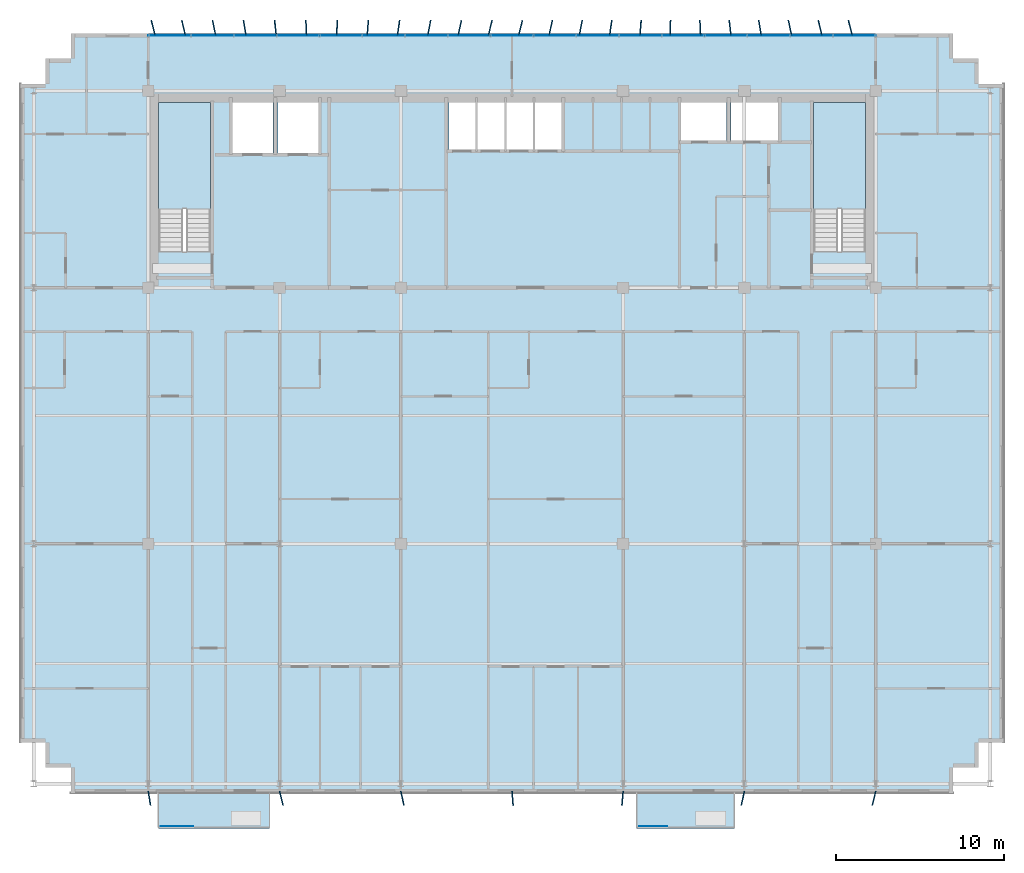
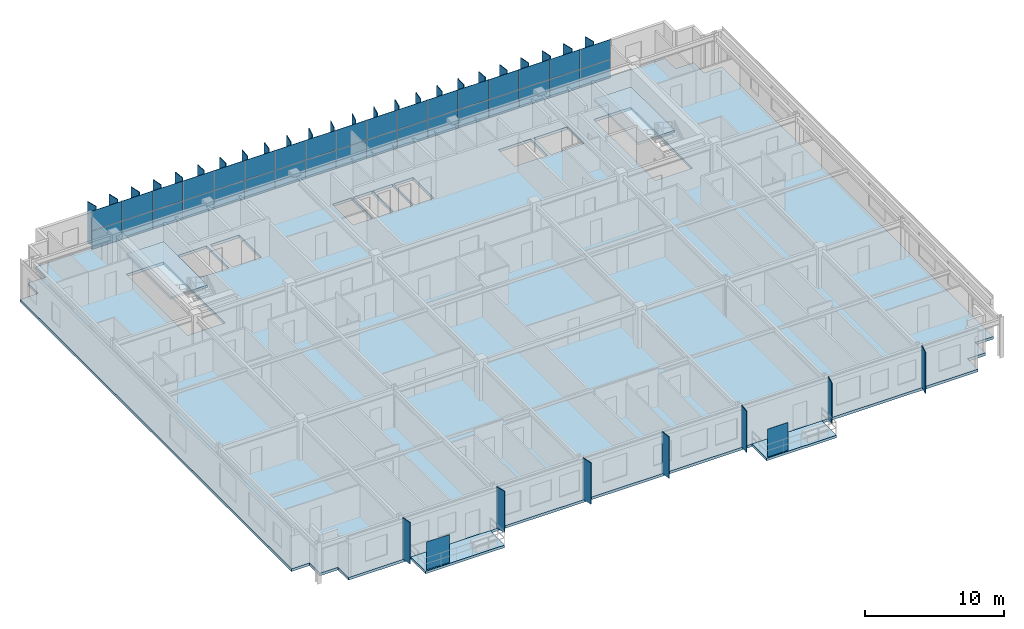
# One storey, part 15 of 23: 67 plates, 5 slabs, 3 elements without a shape of their own.
"""IFC4 building model written with IfcOpenShell, lengths in metres."""

import ifcopenshell
import ifcopenshell.guid

model = None  # the IFC model being written
_history = None  # IfcOwnerHistory: only IFC2X3 demands one
_inside = {}  # id of a spatial element -> (the spatial element, [elements in it])
_under = {}  # id of a project, library or spatial element -> (it, [spatial elements below it])
_declared = {}  # id of a project -> (the project, [libraries it declares])
_typed = {}  # id of a type object -> (the type object, [elements of that type])
_made_of = {}  # id of a material, layer set ... -> (it, [elements and type objects made of it])


def new_model(schema):
    """Start an empty IFC model of exactly this schema.

    Asked for "IFC4X3", IfcOpenShell would pick the latest addendum, in which some entities
    have other attributes; the version numbers below select the first issue.
    IFC2X3 requires an IfcOwnerHistory on every rooted entity: one is made here for all.
    """
    global model, _history
    if schema == "IFC4X3":
        model = ifcopenshell.file(schema_version=(4, 3, 0, 0))
    else:
        model = ifcopenshell.file(schema=schema)
    _inside.clear()
    _under.clear()
    _declared.clear()
    _typed.clear()
    _made_of.clear()
    _history = None
    if model.schema == "IFC2X3":
        org = make("IfcOrganization", Name="unknown")
        user = make(
            "IfcPersonAndOrganization",
            ThePerson=make("IfcPerson", FamilyName="unknown"),
            TheOrganization=org,
        )
        app = make(
            "IfcApplication",
            ApplicationDeveloper=org,
            Version="unknown",
            ApplicationFullName="unknown",
            ApplicationIdentifier="unknown",
        )
        _history = make(
            "IfcOwnerHistory",
            OwningUser=user,
            OwningApplication=app,
            ChangeAction="ADDED",
            CreationDate=0,
        )
    return model


def make(cls, **values):
    """One entity of the class cls with the attributes given. An attribute that is None is left unset."""
    return model.create_entity(
        cls, **{name: value for name, value in values.items() if value is not None}
    )


def rooted(cls, **values):
    """An entity with a GlobalId (a new one), such as an element, a storey or a relation."""
    return make(cls, GlobalId=ifcopenshell.guid.new(), OwnerHistory=_history, **values)


def si_unit(unit_type, name, prefix=None):
    """IfcSIUnit, for example si_unit("LENGTHUNIT", "METRE", prefix="MILLI")."""
    return make("IfcSIUnit", UnitType=unit_type, Prefix=prefix, Name=name)


def assignment(units):
    """IfcUnitAssignment: the units of a project."""
    return None if units is None else make("IfcUnitAssignment", Units=units)


def point(xyz):
    """IfcCartesianPoint."""
    return None if xyz is None else make("IfcCartesianPoint", Coordinates=xyz)


def direction(xyz):
    """IfcDirection."""
    return None if xyz is None else make("IfcDirection", DirectionRatios=xyz)


def frame(location, z_axis=None, x_axis=None):
    """IfcAxis2Placement3D, a coordinate frame: its origin and axes. An axis left out is left unset."""
    return make(
        "IfcAxis2Placement3D",
        Location=point(location),
        Axis=direction(z_axis),
        RefDirection=direction(x_axis),
    )


def frame_2d(location, x_axis=None):
    """IfcAxis2Placement2D, a coordinate frame in the plane: its origin and x axis."""
    return make(
        "IfcAxis2Placement2D", Location=point(location), RefDirection=direction(x_axis)
    )


def origin():
    """The frame at (0, 0, 0) with its axes left unset."""
    return frame((0.0, 0.0, 0.0))


def origin_2d():
    """The frame at (0, 0) in the plane with its x axis left unset."""
    return frame_2d((0.0, 0.0))


def place(relative_to, where):
    """IfcLocalPlacement: puts the frame where relative to a parent placement (None: the world)."""
    return make(
        "IfcLocalPlacement", PlacementRelTo=relative_to, RelativePlacement=where
    )


def context(
    kind, dimensions, precision=None, world=None, true_north=None, identifier=None
):
    """IfcGeometricRepresentationContext, for example the 3D "Model" context."""
    return make(
        "IfcGeometricRepresentationContext",
        ContextIdentifier=identifier,
        ContextType=kind,
        CoordinateSpaceDimension=dimensions,
        Precision=precision,
        WorldCoordinateSystem=world,
        TrueNorth=true_north,
    )


def subcontext(parent, identifier, kind, view, scale=None):
    """IfcGeometricRepresentationSubContext, for example "Body" below "Model"."""
    return make(
        "IfcGeometricRepresentationSubContext",
        ContextIdentifier=identifier,
        ContextType=kind,
        ParentContext=parent,
        TargetScale=scale,
        TargetView=view,
    )


def project(units=None, contexts=None):
    """IfcProject with its units and contexts."""
    return rooted(
        "IfcProject",
        Name="project",
        RepresentationContexts=contexts,
        UnitsInContext=assignment(units),
    )


def spatial(cls, under=None, at=None, **own):
    """A site, building, storey or space (cls), placed at a placement, below another one or the project."""
    s = rooted(cls, ObjectPlacement=at, **own)
    if under is not None:
        _under.setdefault(under.id(), (under, []))[1].append(s)
    return s


def polyline(points):
    """IfcPolyline through the points."""
    return make("IfcPolyline", Points=[point(p) for p in points])


def profile(cls, at=None, kind="AREA", **sizes):
    """A parametric profile (cls). Its sizes go by their IFC names, for example OverallWidth=200.0."""
    return make(cls, ProfileType=kind, Position=at, **sizes)


def rectangle(**sizes):
    """IfcRectangleProfileDef."""
    return profile("IfcRectangleProfileDef", **sizes)


def outline(outer, holes=None, kind="AREA"):
    """IfcArbitraryClosedProfileDef: a profile drawn as a closed curve; with holes, ...WithVoids."""
    if holes is None:
        return make("IfcArbitraryClosedProfileDef", ProfileType=kind, OuterCurve=outer)
    return make(
        "IfcArbitraryProfileDefWithVoids",
        ProfileType=kind,
        OuterCurve=outer,
        InnerCurves=holes,
    )


def extrude(swept, where, along, depth):
    """IfcExtrudedAreaSolid: the profile swept, set in the frame where, extruded along a direction by depth."""
    return make(
        "IfcExtrudedAreaSolid",
        SweptArea=swept,
        Position=where,
        ExtrudedDirection=direction(along),
        Depth=depth,
    )


def shape(context_of_items, identifier, shape_type, items):
    """IfcShapeRepresentation: the items that make up one representation, for example the "Body"."""
    return make(
        "IfcShapeRepresentation",
        ContextOfItems=context_of_items,
        RepresentationIdentifier=identifier,
        RepresentationType=shape_type,
        Items=items,
    )


def source(mapping_origin, context_of_items, identifier, shape_type, items):
    """IfcRepresentationMap: a shape defined once, which mapped items show again and again."""
    return make(
        "IfcRepresentationMap",
        MappingOrigin=mapping_origin,
        MappedRepresentation=shape(context_of_items, identifier, shape_type, items),
    )


def transform(
    local_origin,
    x_axis=None,
    y_axis=None,
    z_axis=None,
    scale=None,
    scale2=None,
    scale3=None,
    uniform=True,
):
    """IfcCartesianTransformationOperator3D, or its non-uniform kind. x_axis, y_axis, z_axis: its Axis1, 2, 3."""
    if uniform:
        return make(
            "IfcCartesianTransformationOperator3D",
            Axis1=direction(x_axis),
            Axis2=direction(y_axis),
            LocalOrigin=point(local_origin),
            Scale=scale,
            Axis3=direction(z_axis),
        )
    return make(
        "IfcCartesianTransformationOperator3DnonUniform",
        Axis1=direction(x_axis),
        Axis2=direction(y_axis),
        LocalOrigin=point(local_origin),
        Scale=scale,
        Axis3=direction(z_axis),
        Scale2=scale2,
        Scale3=scale3,
    )


def mapped(mapping_source, mapping_target):
    """IfcMappedItem: shows the shape of a source again, moved by a transform."""
    return make(
        "IfcMappedItem", MappingSource=mapping_source, MappingTarget=mapping_target
    )


def material(Name=None, Category=None):
    """IfcMaterial."""
    return make("IfcMaterial", Name=Name, Category=Category)


def layer(
    of_material, thickness, ventilated=None, Name=None, Category=None, Priority=None
):
    """IfcMaterialLayer: one layer of a wall or slab, of a material (None: an air gap)."""
    return make(
        "IfcMaterialLayer",
        Material=of_material,
        LayerThickness=thickness,
        IsVentilated=ventilated,
        Name=Name,
        Category=Category,
        Priority=Priority,
    )


def layer_set(layers, Name=None):
    """IfcMaterialLayerSet."""
    return make("IfcMaterialLayerSet", MaterialLayers=layers, LayerSetName=Name)


def made_of(thing, what):
    """Note that an element or type object is made of a material, layer set ...; save() writes the relation."""
    if what is not None:
        _made_of.setdefault(what.id(), (what, []))[1].append(thing)
    return thing


def type_object(cls, material=None, **own):
    """A type object (cls), such as IfcWallType, which elements share."""
    return made_of(rooted(cls, **own), material)


def element(
    cls,
    number,
    at=None,
    inside=None,
    cuts=None,
    type_object=None,
    material=None,
    context=None,
    identifier="Body",
    shape_type=None,
    held_by="IfcProductDefinitionShape",
    body=None,
    shapes=None,
    **own,
):
    """One element of the class cls, such as IfcWall. Its Tag is "e" and its number.

    at: its placement. inside: the storey or other place that contains it. cuts: it is an
    opening in that element (IfcRelVoidsElement). A single representation is given by context,
    identifier, shape_type and body (its items); several are given by shapes. held_by: the class
    of the entity that holds the representations. save() writes the other relations.
    """
    e = rooted(cls, Tag="e%d" % number, ObjectPlacement=at, **own)
    if body is not None:
        shapes = [shape(context, identifier, shape_type, body)]
    if shapes is not None:
        e.Representation = make(held_by, Representations=shapes)
    if inside is not None:
        _inside.setdefault(inside.id(), (inside, []))[1].append(e)
    if cuts is not None:
        rooted(
            "IfcRelVoidsElement", RelatingBuildingElement=cuts, RelatedOpeningElement=e
        )
    if type_object is not None:
        _typed.setdefault(type_object.id(), (type_object, []))[1].append(e)
    return made_of(e, material)


def aggregate(whole, parts):
    """IfcRelAggregates: a whole, such as a stair, and the parts it consists of."""
    return rooted("IfcRelAggregates", RelatingObject=whole, RelatedObjects=parts)


def save(model, path):
    """Write the relations noted so far, then the file.

    IfcRelAggregates (storeys below a building ...), IfcRelContainedInSpatialStructure (elements
    in a storey), IfcRelDefinesByType, IfcRelAssociatesMaterial and IfcRelDeclares: one each for
    every whole, place, type object, material and project.
    """
    for whole, parts in _under.values():
        aggregate(whole, parts)
    for where, things in _inside.values():
        rooted(
            "IfcRelContainedInSpatialStructure",
            RelatedElements=things,
            RelatingStructure=where,
        )
    for kind, things in _typed.values():
        rooted("IfcRelDefinesByType", RelatedObjects=things, RelatingType=kind)
    for what, things in _made_of.values():
        rooted("IfcRelAssociatesMaterial", RelatedObjects=things, RelatingMaterial=what)
    for by, libraries in _declared.values():
        rooted("IfcRelDeclares", RelatingContext=by, RelatedDefinitions=libraries)
    model.write(path)


model = new_model("IFC4")

# Units and contexts
model_context = context("Model", 3, precision=1e-05, world=origin(), true_north=direction((0.0, 1.0)))
body_context = subcontext(model_context, "Body", "Model", "MODEL_VIEW")
ifc_project = project(units=[si_unit("LENGTHUNIT", "METRE"), si_unit("AREAUNIT", "SQUARE_METRE"), si_unit("VOLUMEUNIT", "CUBIC_METRE"), si_unit("PLANEANGLEUNIT", "RADIAN"), si_unit("MASSUNIT", "GRAM", prefix="KILO")], contexts=[model_context])

# Site, building, storey
site_placement = place(None, origin())
site = spatial("IfcSite", under=ifc_project, at=site_placement, CompositionType="ELEMENT")
building_placement = place(site_placement, origin())
building = spatial("IfcBuilding", under=site, at=building_placement, Name="Trelvane Seafront Commons", CompositionType="ELEMENT")
storey_placement = place(building_placement, frame((0.0, 0.0, 212.10009765625)))
storey = spatial("IfcBuildingStorey", under=building, at=storey_placement, Name="L55", CompositionType="ELEMENT", Elevation=212.10009765625)

# Slabs
ifc_material_1 = material(Name="Concrete C40/50", Category="concrete")
ifc_layer_1 = layer(ifc_material_1, 0.219970703125, Name="ARCH-BALC-220")
ifc_layer_set_1 = layer_set([ifc_layer_1], Name="Concrete C40/50")
slab_type_1 = type_object("IfcSlabType", Name="ARCH-BALC-220", PredefinedType="FLOOR", material=ifc_layer_set_1)
slab_1_placement = place(storey_placement, frame((0.0, 0.0, -0.22021484375)))
element("IfcSlab", 1, at=slab_1_placement, inside=storey, type_object=slab_type_1, Name="L55 Cantilevered Tree Balcony Loggia 1", PredefinedType="FLOOR", context=body_context, shape_type="SweptSolid", body=[
    extrude(outline(polyline([(16.199951171875, 1.300048828125), (22.800048828125, 1.300048828125), (22.800048828125, 3.39990234375), (16.199951171875, 3.39990234375), (16.199951171875, 1.300048828125)])), origin(), (0.0, 0.0, 1.0), 0.22021484375),
])
slab_2_placement = place(storey_placement, frame((0.0, 0.0, -0.22021484375)))
element("IfcSlab", 2, at=slab_2_placement, inside=storey, type_object=slab_type_1, Name="L55 Cantilevered Tree Balcony Loggia 2", PredefinedType="FLOOR", context=body_context, shape_type="SweptSolid", body=[
    extrude(outline(polyline([(44.60009765625, 1.300048828125), (50.39990234375, 1.300048828125), (50.39990234375, 3.39990234375), (44.60009765625, 3.39990234375), (44.60009765625, 1.300048828125)])), origin(), (0.0, 0.0, 1.0), 0.22021484375),
])

# Stair, slab
stair_type_1 = type_object("IfcStairType", Name="ARCH-STR-ST-1-R20-180", PredefinedType="HALF_TURN_STAIR", material=ifc_material_1)
stair_1_placement = place(storey_placement, origin())
stair_1 = element("IfcStair", 3, at=stair_1_placement, inside=storey, type_object=stair_type_1, Name="L55 West Protected Firefighting Exit Stair ST-1", PredefinedType="HALF_TURN_STAIR")
ifc_layer_2 = layer(ifc_material_1, 0.199951171875, Name="ARCH-LND-200")
ifc_layer_set_2 = layer_set([ifc_layer_2], Name="Concrete C40/50")
slab_type_2 = type_object("IfcSlabType", Name="ARCH-LND-200", PredefinedType="LANDING", material=ifc_layer_set_2)
slab_3_placement = place(storey_placement, frame((0.0, 0.0, 1.599853515625)))
slab_3 = element("IfcSlab", 4, at=slab_3_placement, type_object=slab_type_2, Name="ST-1 landing 1", PredefinedType="LANDING", context=body_context, shape_type="SweptSolid", body=[
    extrude(outline(polyline([(19.300048828125, 38.070068359375), (19.300048828125, 44.39990234375), (16.199951171875, 44.39990234375), (16.199951171875, 38.070068359375), (19.300048828125, 38.070068359375)])), origin(), (0.0, 0.0, 1.0), 0.199951171875),
])
aggregate(stair_1, [slab_3])

stair_type_2 = type_object("IfcStairType", Name="ARCH-STR-ST-2-R20-180", PredefinedType="HALF_TURN_STAIR", material=ifc_material_1)
stair_2_placement = place(storey_placement, origin())
stair_2 = element("IfcStair", 5, at=stair_2_placement, inside=storey, type_object=stair_type_2, Name="L55 East Protected Firefighting Exit Stair ST-2", PredefinedType="HALF_TURN_STAIR")
slab_4_placement = place(storey_placement, frame((0.0, 0.0, 1.599853515625)))
slab_4 = element("IfcSlab", 6, at=slab_4_placement, type_object=slab_type_2, Name="ST-2 landing 1", PredefinedType="LANDING", context=body_context, shape_type="SweptSolid", body=[
    extrude(outline(polyline([(58.199951171875, 38.070068359375), (58.199951171875, 44.39990234375), (55.10009765625, 44.39990234375), (55.10009765625, 38.070068359375), (58.199951171875, 38.070068359375)])), origin(), (0.0, 0.0, 1.0), 0.199951171875),
])
aggregate(stair_2, [slab_4])

# Slab
ifc_material_2 = material(Name="Concrete C50/60", Category="concrete")
ifc_layer_3 = layer(ifc_material_2, 0.239990234375, Name="STR-SLB-Z4-240")
ifc_layer_set_3 = layer_set([ifc_layer_3], Name="Concrete C50/60")
slab_type_3 = type_object("IfcSlabType", Name="STR-SLB-Z4-240", PredefinedType="FLOOR", material=ifc_layer_set_3)
slab_5_placement = place(storey_placement, frame((0.0, 0.0, -0.239990234375)))
element("IfcSlab", 7, at=slab_5_placement, inside=storey, type_object=slab_type_3, Name="L55 Structural Floor Slab", PredefinedType="FLOOR", context=body_context, shape_type="SweptSolid", body=[
    extrude(outline(polyline([(11.0, 3.39990234375), (63.39990234375, 3.39990234375), (63.39990234375, 4.89990234375), (64.89990234375, 4.89990234375), (64.89990234375, 6.39990234375), (66.39990234375, 6.39990234375), (66.39990234375, 45.5), (64.89990234375, 45.5), (64.89990234375, 47.0), (63.39990234375, 47.0), (63.39990234375, 48.5), (11.0, 48.5), (11.0, 47.0), (9.5, 47.0), (9.5, 45.5), (8.0, 45.5), (8.0, 6.39990234375), (9.5, 6.39990234375), (9.5, 4.89990234375), (11.0, 4.89990234375), (11.0, 3.39990234375)]), holes=[polyline([(19.300048828125, 35.550048828125), (16.199951171875, 35.550048828125), (16.199951171875, 44.39990234375), (19.300048828125, 44.39990234375), (19.300048828125, 35.550048828125)]), polyline([(58.199951171875, 35.550048828125), (55.10009765625, 35.550048828125), (55.10009765625, 44.39990234375), (58.199951171875, 44.39990234375), (58.199951171875, 35.550048828125)]), polyline([(23.0, 41.39990234375), (20.60009765625, 41.39990234375), (20.60009765625, 44.60009765625), (23.0, 44.60009765625), (23.0, 41.39990234375)]), polyline([(23.300048828125, 41.39990234375), (23.300048828125, 44.60009765625), (25.699951171875, 44.60009765625), (25.699951171875, 41.39990234375), (23.300048828125, 41.39990234375)]), polyline([(33.449951171875, 41.60009765625), (33.449951171875, 44.60009765625), (35.070068359375, 44.60009765625), (35.070068359375, 41.60009765625), (33.449951171875, 41.60009765625)]), polyline([(36.77001953125, 41.60009765625), (35.14990234375, 41.60009765625), (35.14990234375, 44.60009765625), (36.77001953125, 44.60009765625), (36.77001953125, 41.60009765625)]), polyline([(38.469970703125, 41.60009765625), (36.85009765625, 41.60009765625), (36.85009765625, 44.60009765625), (38.469970703125, 44.60009765625), (38.469970703125, 41.60009765625)]), polyline([(40.169921875, 41.60009765625), (38.550048828125, 41.60009765625), (38.550048828125, 44.60009765625), (40.169921875, 44.60009765625), (40.169921875, 41.60009765625)]), polyline([(47.25, 42.14990234375), (47.25, 44.550048828125), (49.949951171875, 44.550048828125), (49.949951171875, 42.14990234375), (47.25, 42.14990234375)]), polyline([(50.199951171875, 42.14990234375), (50.199951171875, 44.550048828125), (53.0, 44.550048828125), (53.0, 42.14990234375), (50.199951171875, 42.14990234375)])]), origin(), (0.0, 0.0, 1.0), 0.239990234375),
])

# Plates
ifc_material_3 = material(Name="Perforated anodised aluminium screen", Category="aluminium")
ifc_layer_4 = layer(ifc_material_3, 0.01611328125, Name="ARCH-PLATE-SCREEN")
ifc_layer_set_4 = layer_set([ifc_layer_4], Name="Perforated anodised aluminium screen")
plate_type_1 = type_object("IfcPlateType", Name="ARCH-PLATE-SCREEN", PredefinedType="USERDEFINED", material=ifc_layer_set_4)
shared_shape_1 = source(origin(), body_context, "Body", "SweptSolid", [
    extrude(rectangle(XDim=1.9140625, YDim=0.01611328125, at=origin_2d()), origin(), (0.0, 0.0, 1.0), 2.449951171875),
])
plate_1_placement = place(storey_placement, frame((17.306884765625, 1.419921875, 0.0), z_axis=(0.0, 0.0, 1.0), x_axis=(1.0, 0.0, 0.0)))
element("IfcPlate", 8, at=plate_1_placement, inside=storey, type_object=plate_type_1, Name="SCR-L55-00195", ObjectType="SCREEN", PredefinedType="USERDEFINED", context=body_context, shape_type="MappedRepresentation", body=[
    mapped(shared_shape_1, transform((0.0, 0.0, 0.0), x_axis=(1.0, 0.0, 0.0), y_axis=(0.0, 1.0, 0.0), z_axis=(0.0, 0.0, 1.0), scale=1.0)),
])
shared_shape_2 = source(origin(), body_context, "Body", "SweptSolid", [
    extrude(rectangle(XDim=1.681884765625, YDim=0.01611328125, at=origin_2d()), origin(), (0.0, 0.0, 1.0), 2.449951171875),
])
plate_2_placement = place(storey_placement, frame((45.591064453125, 1.419921875, 0.0), z_axis=(0.0, 0.0, 1.0), x_axis=(1.0, 0.0, 0.0)))
element("IfcPlate", 9, at=plate_2_placement, inside=storey, type_object=plate_type_1, Name="SCR-L55-00196", ObjectType="SCREEN", PredefinedType="USERDEFINED", context=body_context, shape_type="MappedRepresentation", body=[
    mapped(shared_shape_2, transform((0.0, 0.0, 0.0), x_axis=(1.0, 0.0, 0.0), y_axis=(0.0, 1.0, 0.0), z_axis=(0.0, 0.0, 1.0), scale=1.0)),
])
ifc_material_4 = material(Name="Anodised pale-silver aluminium", Category="aluminium")
ifc_layer_5 = layer(ifc_material_4, 0.06005859375, Name="ARCH-PLATE-FIN900")
ifc_layer_set_5 = layer_set([ifc_layer_5], Name="Anodised pale-silver aluminium")
plate_type_2 = type_object("IfcPlateType", Name="ARCH-PLATE-FIN900", PredefinedType="USERDEFINED", material=ifc_layer_set_5)
shared_shape_3 = source(origin(), body_context, "Body", "SweptSolid", [
    extrude(rectangle(XDim=0.89990234375, YDim=0.06005859375, at=origin_2d()), origin(), (0.0, 0.0, 1.0), 3.639892578125),
])
for number, where, z_axis, x_axis, name in (
    (10, (15.89111328125, 48.836669921875, -0.02001953125), (0.0, 0.0, 1.0), (-0.241881251735, 0.970305859025, 0.0), "FIN-L55-01511"),
    (11, (17.6953125, 48.837646484375, -0.02001953125), (0.0, 0.0, 1.0), (-0.232876793588, 0.972506246257, 0.0), "FIN-L55-01512"),
    (12, (19.507080078125, 48.84033203125, -0.02001953125), (0.0, 0.0, 1.0), (-0.206660151025, 0.978412787109, 0.0), "FIN-L55-01513"),
    (13, (21.32568359375, 48.84375, -0.02001953125), (0.0, 0.0, 1.0), (-0.165228349365, 0.986255338422, 0.0), "FIN-L55-01514"),
    (14, (23.14990234375, 48.84716796875, -0.02001953125), (0.0, 0.0, 1.0), (-0.111224371071, 0.993795320617, 0.0), "FIN-L55-01515"),
    (15, (24.97802734375, 48.849609375, -0.02001953125), (0.0, 0.0, 1.0), (-0.048668471453, 0.998814987816, 0.0), "FIN-L55-01516"),
    (16, (26.80810546875, 48.849853515625, -0.02001953125), (0.0, 0.0, 1.0), (0.01777698731, 0.999841976875, 0.0), "FIN-L55-01517"),
    (17, (28.63720703125, 48.848388671875, -0.02001953125), (0.0, 0.0, 1.0), (0.082778638782, 0.996567959028, 0.0), "FIN-L55-01518"),
    (18, (30.463623046875, 48.845458984375, -0.02001953125), (0.0, 0.0, 1.0), (0.141328014392, 0.98996282372, 0.0), "FIN-L55-01519"),
    (19, (32.28515625, 48.841796875, -0.02001953125), (0.0, 0.0, 1.0), (0.18910229835, 0.981957392537, 0.0), "FIN-L55-01520"),
    (20, (34.10009765625, 48.838623046875, -0.02001953125), (0.0, 0.0, 1.0), (0.222668238779, 0.974894279109, 0.0), "FIN-L55-01521"),
    (21, (35.907958984375, 48.8369140625, -0.02001953125), (0.0, 0.0, 1.0), (0.23989426697, 0.970799021773, 0.0), "FIN-L55-01522"),
    (22, (37.707763671875, 48.8369140625, -0.02001953125), (0.0, 0.0, 1.0), (0.239553685065, 0.970883119625, 0.0), "FIN-L55-01523"),
    (23, (39.499755859375, 48.8388671875, -0.02001953125), (0.0, 0.0, 1.0), (0.221774851889, 0.975097900249, 0.0), "FIN-L55-01524"),
    (24, (41.284423828125, 48.842041015625, -0.02001953125), (0.0, 0.0, 1.0), (0.187775614852, 0.982211951906, 0.0), "FIN-L55-01525"),
    (25, (43.062744140625, 48.845703125, -0.02001953125), (0.0, 0.0, 1.0), (0.139555054584, 0.99021431354, 0.0), "FIN-L55-01526"),
    (26, (44.836181640625, 48.8486328125, -0.02001953125), (0.0, 0.0, 1.0), (0.080663417462, 0.996741397296, 0.0), "FIN-L55-01527"),
    (27, (46.60693359375, 48.849853515625, -0.02001953125), (0.0, 0.0, 1.0), (0.015555492219, 0.999879006011, 0.0), "FIN-L55-01528"),
    (28, (48.377197265625, 48.849365234375, -0.02001953125), (0.0, 0.0, 1.0), (-0.050779450263, 0.998709891526, 0.0), "FIN-L55-01529"),
    (29, (50.149169921875, 48.84716796875, -0.02001953125), (0.0, 0.0, 1.0), (-0.113114773708, 0.993581928161, 0.0), "FIN-L55-01530"),
    (30, (51.9248046875, 48.84375, -0.02001953125), (0.0, 0.0, 1.0), (-0.166777351148, 0.985994581701, 0.0), "FIN-L55-01531"),
    (31, (53.70654296875, 48.840087890625, -0.02001953125), (0.0, 0.0, 1.0), (-0.207768284656, 0.978178071668, 0.0), "FIN-L55-01532"),
    (32, (55.4951171875, 48.837646484375, -0.02001953125), (0.0, 0.0, 1.0), (-0.233452152273, 0.972368290618, 0.0), "FIN-L55-01533"),
    (33, (57.291259765625, 48.836669921875, -0.02001953125), (0.0, 0.0, 1.0), (-0.241881251735, 0.970305859025, 0.0), "FIN-L55-01534"),
):
    element("IfcPlate", number, at=place(storey_placement, frame(where, z_axis=z_axis, x_axis=x_axis)), inside=storey, type_object=plate_type_2, Name=name, ObjectType="FIN", PredefinedType="USERDEFINED", context=body_context, shape_type="MappedRepresentation", body=[
        mapped(shared_shape_3, transform((0.0, 0.0, 0.0), x_axis=(1.0, 0.0, 0.0), y_axis=(0.0, 1.0, 0.0), z_axis=(0.0, 0.0, 1.0), scale=1.0)),
    ])
shared_shape_4 = source(origin(), body_context, "Body", "SweptSolid", [
    extrude(rectangle(XDim=0.85009765625, YDim=0.06005859375, at=origin_2d()), origin(), (0.0, 0.0, 1.0), 3.639892578125),
])
for number, where, z_axis, x_axis, name in (
    (34, (15.6669921875, 3.080322265625, -0.02001953125), (0.0, 0.0, 1.0), (0.157527284463, -0.987514635157, 0.0), "FIN-S-L55-01535"),
    (35, (30.688720703125, 3.084228515625, -0.02001953125), (0.0, 0.0, 1.0), (0.208814705382, -0.977955223319, 0.0), "FIN-S-L55-01537"),
    (36, (37.234375, 3.076416015625, -0.02001953125), (0.0, 0.0, 1.0), (0.080708648069, -0.99673773588, 0.0), "FIN-S-L55-01538"),
    (37, (43.76318359375, 3.07666015625, -0.02001953125), (0.0, 0.0, 1.0), (-0.086588916465, -0.99624412648, 0.0), "FIN-S-L55-01539"),
    (38, (50.909912109375, 3.084716796875, -0.02001953125), (0.0, 0.0, 1.0), (-0.211882595413, -0.977295127257, 0.0), "FIN-S-L55-01540"),
    (39, (58.698974609375, 3.087158203125, -0.02001953125), (0.0, 0.0, 1.0), (-0.237521443683, -0.971382295387, 0.0), "FIN-S-L55-01541"),
):
    element("IfcPlate", number, at=place(storey_placement, frame(where, z_axis=z_axis, x_axis=x_axis)), inside=storey, type_object=plate_type_2, Name=name, ObjectType="FIN", PredefinedType="USERDEFINED", context=body_context, shape_type="MappedRepresentation", body=[
        mapped(shared_shape_4, transform((0.0, 0.0, 0.0), x_axis=(1.0, 0.0, 0.0), y_axis=(0.0, 1.0, 0.0), z_axis=(0.0, 0.0, 1.0), scale=1.0)),
    ])
shared_shape_5 = source(origin(), body_context, "Body", "SweptSolid", [
    extrude(rectangle(XDim=0.849853515625, YDim=0.06005859375, at=origin_2d()), origin(), (0.0, 0.0, 1.0), 3.639892578125),
])
plate_3_placement = place(storey_placement, frame((23.50146484375, 3.08740234375, -0.02001953125), z_axis=(0.0, 0.0, 1.0), x_axis=(0.23860294988, -0.971117208327, 0.0)))
element("IfcPlate", 40, at=plate_3_placement, inside=storey, type_object=plate_type_2, Name="FIN-S-L55-01536", ObjectType="FIN", PredefinedType="USERDEFINED", context=body_context, shape_type="MappedRepresentation", body=[
    mapped(shared_shape_5, transform((0.0, 0.0, 0.0), x_axis=(1.0, 0.0, 0.0), y_axis=(0.0, 1.0, 0.0), z_axis=(0.0, 0.0, 1.0), scale=1.0)),
])

# Curtain wall, plates
curtain_wall_type = type_object("IfcCurtainWallType", Name="ARCH-CW5-UPTOWER", PredefinedType="NOTDEFINED", material=ifc_material_4)
curtain_wall_placement = place(storey_placement, origin())
curtain_wall = element("IfcCurtainWall", 41, at=curtain_wall_placement, inside=storey, type_object=curtain_wall_type, Name="CW-L55-0098", PredefinedType="NOTDEFINED")
ifc_material_5 = material(Name="Low-E coastal double glazing", Category="glass")
ifc_layer_6 = layer(ifc_material_5, 0.033935546875, Name="ARCH-CW-GLAZ-34")
ifc_layer_set_6 = layer_set([ifc_layer_6], Name="Low-E coastal double glazing")
plate_type_3 = type_object("IfcPlateType", Name="ARCH-CW-GLAZ-34", PredefinedType="CURTAIN_PANEL", material=ifc_layer_set_6)
shared_shape_6 = source(origin(), body_context, "Body", "SweptSolid", [
    extrude(rectangle(XDim=2.51708984375, YDim=0.033935546875, at=origin_2d()), origin(), (0.0, 0.0, 1.0), 1.594970703125),
])
plate_4_placement = place(storey_placement, frame((16.87060546875, 48.3701171875, 0.0), z_axis=(0.0, 0.0, 1.0), x_axis=(1.0, 0.0, 0.0)))
plate_4 = element("IfcPlate", 42, at=plate_4_placement, type_object=plate_type_3, Name="CW-L55-0098-P00-1", PredefinedType="CURTAIN_PANEL", context=body_context, shape_type="MappedRepresentation", body=[
    mapped(shared_shape_6, transform((0.0, 0.0, 0.0), x_axis=(1.0, 0.0, 0.0), y_axis=(0.0, 1.0, 0.0), z_axis=(0.0, 0.0, 1.0), scale=1.0)),
])
plate_5_placement = place(storey_placement, frame((19.411865234375, 48.3701171875, 0.0), z_axis=(0.0, 0.0, 1.0), x_axis=(1.0, 0.0, 0.0)))
plate_5 = element("IfcPlate", 43, at=plate_5_placement, type_object=plate_type_3, Name="CW-L55-0098-P01-1", PredefinedType="CURTAIN_PANEL", context=body_context, shape_type="MappedRepresentation", body=[
    mapped(shared_shape_6, transform((0.0, 0.0, 0.0), x_axis=(1.0, 0.0, 0.0), y_axis=(0.0, 1.0, 0.0), z_axis=(0.0, 0.0, 1.0), scale=1.0)),
])
plate_6_placement = place(storey_placement, frame((21.952880859375, 48.3701171875, 0.0), z_axis=(0.0, 0.0, 1.0), x_axis=(1.0, 0.0, 0.0)))
plate_6 = element("IfcPlate", 44, at=plate_6_placement, type_object=plate_type_3, Name="CW-L55-0098-P02-1", PredefinedType="CURTAIN_PANEL", context=body_context, shape_type="MappedRepresentation", body=[
    mapped(shared_shape_6, transform((0.0, 0.0, 0.0), x_axis=(1.0, 0.0, 0.0), y_axis=(0.0, 1.0, 0.0), z_axis=(0.0, 0.0, 1.0), scale=1.0)),
])
plate_7_placement = place(storey_placement, frame((24.494140625, 48.3701171875, 0.0), z_axis=(0.0, 0.0, 1.0), x_axis=(1.0, 0.0, 0.0)))
plate_7 = element("IfcPlate", 45, at=plate_7_placement, type_object=plate_type_3, Name="CW-L55-0098-P03-1", PredefinedType="CURTAIN_PANEL", context=body_context, shape_type="MappedRepresentation", body=[
    mapped(shared_shape_6, transform((0.0, 0.0, 0.0), x_axis=(1.0, 0.0, 0.0), y_axis=(0.0, 1.0, 0.0), z_axis=(0.0, 0.0, 1.0), scale=1.0)),
])
plate_8_placement = place(storey_placement, frame((27.035400390625, 48.3701171875, 0.0), z_axis=(0.0, 0.0, 1.0), x_axis=(1.0, 0.0, 0.0)))
plate_8 = element("IfcPlate", 46, at=plate_8_placement, type_object=plate_type_3, Name="CW-L55-0098-P04-1", PredefinedType="CURTAIN_PANEL", context=body_context, shape_type="MappedRepresentation", body=[
    mapped(shared_shape_6, transform((0.0, 0.0, 0.0), x_axis=(1.0, 0.0, 0.0), y_axis=(0.0, 1.0, 0.0), z_axis=(0.0, 0.0, 1.0), scale=1.0)),
])
plate_9_placement = place(storey_placement, frame((29.576416015625, 48.3701171875, 0.0), z_axis=(0.0, 0.0, 1.0), x_axis=(1.0, 0.0, 0.0)))
plate_9 = element("IfcPlate", 47, at=plate_9_placement, type_object=plate_type_3, Name="CW-L55-0098-P05-1", PredefinedType="CURTAIN_PANEL", context=body_context, shape_type="MappedRepresentation", body=[
    mapped(shared_shape_6, transform((0.0, 0.0, 0.0), x_axis=(1.0, 0.0, 0.0), y_axis=(0.0, 1.0, 0.0), z_axis=(0.0, 0.0, 1.0), scale=1.0)),
])
plate_10_placement = place(storey_placement, frame((32.11767578125, 48.3701171875, 0.0), z_axis=(0.0, 0.0, 1.0), x_axis=(1.0, 0.0, 0.0)))
plate_10 = element("IfcPlate", 48, at=plate_10_placement, type_object=plate_type_3, Name="CW-L55-0098-P06-1", PredefinedType="CURTAIN_PANEL", context=body_context, shape_type="MappedRepresentation", body=[
    mapped(shared_shape_6, transform((0.0, 0.0, 0.0), x_axis=(1.0, 0.0, 0.0), y_axis=(0.0, 1.0, 0.0), z_axis=(0.0, 0.0, 1.0), scale=1.0)),
])
plate_11_placement = place(storey_placement, frame((34.65869140625, 48.3701171875, 0.0), z_axis=(0.0, 0.0, 1.0), x_axis=(1.0, 0.0, 0.0)))
plate_11 = element("IfcPlate", 49, at=plate_11_placement, type_object=plate_type_3, Name="CW-L55-0098-P07-1", PredefinedType="CURTAIN_PANEL", context=body_context, shape_type="MappedRepresentation", body=[
    mapped(shared_shape_6, transform((0.0, 0.0, 0.0), x_axis=(1.0, 0.0, 0.0), y_axis=(0.0, 1.0, 0.0), z_axis=(0.0, 0.0, 1.0), scale=1.0)),
])
plate_12_placement = place(storey_placement, frame((37.199951171875, 48.3701171875, 0.0), z_axis=(0.0, 0.0, 1.0), x_axis=(1.0, 0.0, 0.0)))
plate_12 = element("IfcPlate", 50, at=plate_12_placement, type_object=plate_type_3, Name="CW-L55-0098-P08-1", PredefinedType="CURTAIN_PANEL", context=body_context, shape_type="MappedRepresentation", body=[
    mapped(shared_shape_6, transform((0.0, 0.0, 0.0), x_axis=(1.0, 0.0, 0.0), y_axis=(0.0, 1.0, 0.0), z_axis=(0.0, 0.0, 1.0), scale=1.0)),
])
plate_13_placement = place(storey_placement, frame((39.7412109375, 48.3701171875, 0.0), z_axis=(0.0, 0.0, 1.0), x_axis=(1.0, 0.0, 0.0)))
plate_13 = element("IfcPlate", 51, at=plate_13_placement, type_object=plate_type_3, Name="CW-L55-0098-P09-1", PredefinedType="CURTAIN_PANEL", context=body_context, shape_type="MappedRepresentation", body=[
    mapped(shared_shape_6, transform((0.0, 0.0, 0.0), x_axis=(1.0, 0.0, 0.0), y_axis=(0.0, 1.0, 0.0), z_axis=(0.0, 0.0, 1.0), scale=1.0)),
])
plate_14_placement = place(storey_placement, frame((42.282470703125, 48.3701171875, 0.0), z_axis=(0.0, 0.0, 1.0), x_axis=(1.0, 0.0, 0.0)))
plate_14 = element("IfcPlate", 52, at=plate_14_placement, type_object=plate_type_3, Name="CW-L55-0098-P10-1", PredefinedType="CURTAIN_PANEL", context=body_context, shape_type="MappedRepresentation", body=[
    mapped(shared_shape_6, transform((0.0, 0.0, 0.0), x_axis=(1.0, 0.0, 0.0), y_axis=(0.0, 1.0, 0.0), z_axis=(0.0, 0.0, 1.0), scale=1.0)),
])
plate_15_placement = place(storey_placement, frame((44.823486328125, 48.3701171875, 0.0), z_axis=(0.0, 0.0, 1.0), x_axis=(1.0, 0.0, 0.0)))
plate_15 = element("IfcPlate", 53, at=plate_15_placement, type_object=plate_type_3, Name="CW-L55-0098-P11-1", PredefinedType="CURTAIN_PANEL", context=body_context, shape_type="MappedRepresentation", body=[
    mapped(shared_shape_6, transform((0.0, 0.0, 0.0), x_axis=(1.0, 0.0, 0.0), y_axis=(0.0, 1.0, 0.0), z_axis=(0.0, 0.0, 1.0), scale=1.0)),
])
plate_16_placement = place(storey_placement, frame((47.36474609375, 48.3701171875, 0.0), z_axis=(0.0, 0.0, 1.0), x_axis=(1.0, 0.0, 0.0)))
plate_16 = element("IfcPlate", 54, at=plate_16_placement, type_object=plate_type_3, Name="CW-L55-0098-P12-1", PredefinedType="CURTAIN_PANEL", context=body_context, shape_type="MappedRepresentation", body=[
    mapped(shared_shape_6, transform((0.0, 0.0, 0.0), x_axis=(1.0, 0.0, 0.0), y_axis=(0.0, 1.0, 0.0), z_axis=(0.0, 0.0, 1.0), scale=1.0)),
])
plate_17_placement = place(storey_placement, frame((49.906005859375, 48.3701171875, 0.0), z_axis=(0.0, 0.0, 1.0), x_axis=(1.0, 0.0, 0.0)))
plate_17 = element("IfcPlate", 55, at=plate_17_placement, type_object=plate_type_3, Name="CW-L55-0098-P13-1", PredefinedType="CURTAIN_PANEL", context=body_context, shape_type="MappedRepresentation", body=[
    mapped(shared_shape_6, transform((0.0, 0.0, 0.0), x_axis=(1.0, 0.0, 0.0), y_axis=(0.0, 1.0, 0.0), z_axis=(0.0, 0.0, 1.0), scale=1.0)),
])
plate_18_placement = place(storey_placement, frame((52.447021484375, 48.3701171875, 0.0), z_axis=(0.0, 0.0, 1.0), x_axis=(1.0, 0.0, 0.0)))
plate_18 = element("IfcPlate", 56, at=plate_18_placement, type_object=plate_type_3, Name="CW-L55-0098-P14-1", PredefinedType="CURTAIN_PANEL", context=body_context, shape_type="MappedRepresentation", body=[
    mapped(shared_shape_6, transform((0.0, 0.0, 0.0), x_axis=(1.0, 0.0, 0.0), y_axis=(0.0, 1.0, 0.0), z_axis=(0.0, 0.0, 1.0), scale=1.0)),
])
plate_19_placement = place(storey_placement, frame((54.98828125, 48.3701171875, 0.0), z_axis=(0.0, 0.0, 1.0), x_axis=(1.0, 0.0, 0.0)))
plate_19 = element("IfcPlate", 57, at=plate_19_placement, type_object=plate_type_3, Name="CW-L55-0098-P15-1", PredefinedType="CURTAIN_PANEL", context=body_context, shape_type="MappedRepresentation", body=[
    mapped(shared_shape_6, transform((0.0, 0.0, 0.0), x_axis=(1.0, 0.0, 0.0), y_axis=(0.0, 1.0, 0.0), z_axis=(0.0, 0.0, 1.0), scale=1.0)),
])
plate_20_placement = place(storey_placement, frame((57.529296875, 48.3701171875, 0.0), z_axis=(0.0, 0.0, 1.0), x_axis=(1.0, 0.0, 0.0)))
plate_20 = element("IfcPlate", 58, at=plate_20_placement, type_object=plate_type_3, Name="CW-L55-0098-P16-1", PredefinedType="CURTAIN_PANEL", context=body_context, shape_type="MappedRepresentation", body=[
    mapped(shared_shape_6, transform((0.0, 0.0, 0.0), x_axis=(1.0, 0.0, 0.0), y_axis=(0.0, 1.0, 0.0), z_axis=(0.0, 0.0, 1.0), scale=1.0)),
])
shared_shape_7 = source(origin(), body_context, "Body", "SweptSolid", [
    extrude(rectangle(XDim=2.51708984375, YDim=0.033935546875, at=origin_2d()), origin(), (0.0, 0.0, 1.0), 1.72900390625),
])
plate_21_placement = place(storey_placement, frame((16.87060546875, 48.3701171875, 1.630859375), z_axis=(0.0, 0.0, 1.0), x_axis=(1.0, 0.0, 0.0)))
plate_21 = element("IfcPlate", 59, at=plate_21_placement, type_object=plate_type_3, Name="CW-L55-0098-P00-2", PredefinedType="CURTAIN_PANEL", context=body_context, shape_type="MappedRepresentation", body=[
    mapped(shared_shape_7, transform((0.0, 0.0, 0.0), x_axis=(1.0, 0.0, 0.0), y_axis=(0.0, 1.0, 0.0), z_axis=(0.0, 0.0, 1.0), scale=1.0)),
])
plate_22_placement = place(storey_placement, frame((19.411865234375, 48.3701171875, 1.630859375), z_axis=(0.0, 0.0, 1.0), x_axis=(1.0, 0.0, 0.0)))
plate_22 = element("IfcPlate", 60, at=plate_22_placement, type_object=plate_type_3, Name="CW-L55-0098-P01-2", PredefinedType="CURTAIN_PANEL", context=body_context, shape_type="MappedRepresentation", body=[
    mapped(shared_shape_7, transform((0.0, 0.0, 0.0), x_axis=(1.0, 0.0, 0.0), y_axis=(0.0, 1.0, 0.0), z_axis=(0.0, 0.0, 1.0), scale=1.0)),
])
plate_23_placement = place(storey_placement, frame((21.952880859375, 48.3701171875, 1.630859375), z_axis=(0.0, 0.0, 1.0), x_axis=(1.0, 0.0, 0.0)))
plate_23 = element("IfcPlate", 61, at=plate_23_placement, type_object=plate_type_3, Name="CW-L55-0098-P02-2", PredefinedType="CURTAIN_PANEL", context=body_context, shape_type="MappedRepresentation", body=[
    mapped(shared_shape_7, transform((0.0, 0.0, 0.0), x_axis=(1.0, 0.0, 0.0), y_axis=(0.0, 1.0, 0.0), z_axis=(0.0, 0.0, 1.0), scale=1.0)),
])
plate_24_placement = place(storey_placement, frame((24.494140625, 48.3701171875, 1.630859375), z_axis=(0.0, 0.0, 1.0), x_axis=(1.0, 0.0, 0.0)))
plate_24 = element("IfcPlate", 62, at=plate_24_placement, type_object=plate_type_3, Name="CW-L55-0098-P03-2", PredefinedType="CURTAIN_PANEL", context=body_context, shape_type="MappedRepresentation", body=[
    mapped(shared_shape_7, transform((0.0, 0.0, 0.0), x_axis=(1.0, 0.0, 0.0), y_axis=(0.0, 1.0, 0.0), z_axis=(0.0, 0.0, 1.0), scale=1.0)),
])
plate_25_placement = place(storey_placement, frame((27.035400390625, 48.3701171875, 1.630859375), z_axis=(0.0, 0.0, 1.0), x_axis=(1.0, 0.0, 0.0)))
plate_25 = element("IfcPlate", 63, at=plate_25_placement, type_object=plate_type_3, Name="CW-L55-0098-P04-2", PredefinedType="CURTAIN_PANEL", context=body_context, shape_type="MappedRepresentation", body=[
    mapped(shared_shape_7, transform((0.0, 0.0, 0.0), x_axis=(1.0, 0.0, 0.0), y_axis=(0.0, 1.0, 0.0), z_axis=(0.0, 0.0, 1.0), scale=1.0)),
])
plate_26_placement = place(storey_placement, frame((29.576416015625, 48.3701171875, 1.630859375), z_axis=(0.0, 0.0, 1.0), x_axis=(1.0, 0.0, 0.0)))
plate_26 = element("IfcPlate", 64, at=plate_26_placement, type_object=plate_type_3, Name="CW-L55-0098-P05-2", PredefinedType="CURTAIN_PANEL", context=body_context, shape_type="MappedRepresentation", body=[
    mapped(shared_shape_7, transform((0.0, 0.0, 0.0), x_axis=(1.0, 0.0, 0.0), y_axis=(0.0, 1.0, 0.0), z_axis=(0.0, 0.0, 1.0), scale=1.0)),
])
plate_27_placement = place(storey_placement, frame((32.11767578125, 48.3701171875, 1.630859375), z_axis=(0.0, 0.0, 1.0), x_axis=(1.0, 0.0, 0.0)))
plate_27 = element("IfcPlate", 65, at=plate_27_placement, type_object=plate_type_3, Name="CW-L55-0098-P06-2", PredefinedType="CURTAIN_PANEL", context=body_context, shape_type="MappedRepresentation", body=[
    mapped(shared_shape_7, transform((0.0, 0.0, 0.0), x_axis=(1.0, 0.0, 0.0), y_axis=(0.0, 1.0, 0.0), z_axis=(0.0, 0.0, 1.0), scale=1.0)),
])
plate_28_placement = place(storey_placement, frame((34.65869140625, 48.3701171875, 1.630859375), z_axis=(0.0, 0.0, 1.0), x_axis=(1.0, 0.0, 0.0)))
plate_28 = element("IfcPlate", 66, at=plate_28_placement, type_object=plate_type_3, Name="CW-L55-0098-P07-2", PredefinedType="CURTAIN_PANEL", context=body_context, shape_type="MappedRepresentation", body=[
    mapped(shared_shape_7, transform((0.0, 0.0, 0.0), x_axis=(1.0, 0.0, 0.0), y_axis=(0.0, 1.0, 0.0), z_axis=(0.0, 0.0, 1.0), scale=1.0)),
])
plate_29_placement = place(storey_placement, frame((37.199951171875, 48.3701171875, 1.630859375), z_axis=(0.0, 0.0, 1.0), x_axis=(1.0, 0.0, 0.0)))
plate_29 = element("IfcPlate", 67, at=plate_29_placement, type_object=plate_type_3, Name="CW-L55-0098-P08-2", PredefinedType="CURTAIN_PANEL", context=body_context, shape_type="MappedRepresentation", body=[
    mapped(shared_shape_7, transform((0.0, 0.0, 0.0), x_axis=(1.0, 0.0, 0.0), y_axis=(0.0, 1.0, 0.0), z_axis=(0.0, 0.0, 1.0), scale=1.0)),
])
plate_30_placement = place(storey_placement, frame((39.7412109375, 48.3701171875, 1.630859375), z_axis=(0.0, 0.0, 1.0), x_axis=(1.0, 0.0, 0.0)))
plate_30 = element("IfcPlate", 68, at=plate_30_placement, type_object=plate_type_3, Name="CW-L55-0098-P09-2", PredefinedType="CURTAIN_PANEL", context=body_context, shape_type="MappedRepresentation", body=[
    mapped(shared_shape_7, transform((0.0, 0.0, 0.0), x_axis=(1.0, 0.0, 0.0), y_axis=(0.0, 1.0, 0.0), z_axis=(0.0, 0.0, 1.0), scale=1.0)),
])
plate_31_placement = place(storey_placement, frame((42.282470703125, 48.3701171875, 1.630859375), z_axis=(0.0, 0.0, 1.0), x_axis=(1.0, 0.0, 0.0)))
plate_31 = element("IfcPlate", 69, at=plate_31_placement, type_object=plate_type_3, Name="CW-L55-0098-P10-2", PredefinedType="CURTAIN_PANEL", context=body_context, shape_type="MappedRepresentation", body=[
    mapped(shared_shape_7, transform((0.0, 0.0, 0.0), x_axis=(1.0, 0.0, 0.0), y_axis=(0.0, 1.0, 0.0), z_axis=(0.0, 0.0, 1.0), scale=1.0)),
])
plate_32_placement = place(storey_placement, frame((44.823486328125, 48.3701171875, 1.630859375), z_axis=(0.0, 0.0, 1.0), x_axis=(1.0, 0.0, 0.0)))
plate_32 = element("IfcPlate", 70, at=plate_32_placement, type_object=plate_type_3, Name="CW-L55-0098-P11-2", PredefinedType="CURTAIN_PANEL", context=body_context, shape_type="MappedRepresentation", body=[
    mapped(shared_shape_7, transform((0.0, 0.0, 0.0), x_axis=(1.0, 0.0, 0.0), y_axis=(0.0, 1.0, 0.0), z_axis=(0.0, 0.0, 1.0), scale=1.0)),
])
plate_33_placement = place(storey_placement, frame((47.36474609375, 48.3701171875, 1.630859375), z_axis=(0.0, 0.0, 1.0), x_axis=(1.0, 0.0, 0.0)))
plate_33 = element("IfcPlate", 71, at=plate_33_placement, type_object=plate_type_3, Name="CW-L55-0098-P12-2", PredefinedType="CURTAIN_PANEL", context=body_context, shape_type="MappedRepresentation", body=[
    mapped(shared_shape_7, transform((0.0, 0.0, 0.0), x_axis=(1.0, 0.0, 0.0), y_axis=(0.0, 1.0, 0.0), z_axis=(0.0, 0.0, 1.0), scale=1.0)),
])
plate_34_placement = place(storey_placement, frame((49.906005859375, 48.3701171875, 1.630859375), z_axis=(0.0, 0.0, 1.0), x_axis=(1.0, 0.0, 0.0)))
plate_34 = element("IfcPlate", 72, at=plate_34_placement, type_object=plate_type_3, Name="CW-L55-0098-P13-2", PredefinedType="CURTAIN_PANEL", context=body_context, shape_type="MappedRepresentation", body=[
    mapped(shared_shape_7, transform((0.0, 0.0, 0.0), x_axis=(1.0, 0.0, 0.0), y_axis=(0.0, 1.0, 0.0), z_axis=(0.0, 0.0, 1.0), scale=1.0)),
])
plate_35_placement = place(storey_placement, frame((52.447021484375, 48.3701171875, 1.630859375), z_axis=(0.0, 0.0, 1.0), x_axis=(1.0, 0.0, 0.0)))
plate_35 = element("IfcPlate", 73, at=plate_35_placement, type_object=plate_type_3, Name="CW-L55-0098-P14-2", PredefinedType="CURTAIN_PANEL", context=body_context, shape_type="MappedRepresentation", body=[
    mapped(shared_shape_7, transform((0.0, 0.0, 0.0), x_axis=(1.0, 0.0, 0.0), y_axis=(0.0, 1.0, 0.0), z_axis=(0.0, 0.0, 1.0), scale=1.0)),
])
plate_36_placement = place(storey_placement, frame((54.98828125, 48.3701171875, 1.630859375), z_axis=(0.0, 0.0, 1.0), x_axis=(1.0, 0.0, 0.0)))
plate_36 = element("IfcPlate", 74, at=plate_36_placement, type_object=plate_type_3, Name="CW-L55-0098-P15-2", PredefinedType="CURTAIN_PANEL", context=body_context, shape_type="MappedRepresentation", body=[
    mapped(shared_shape_7, transform((0.0, 0.0, 0.0), x_axis=(1.0, 0.0, 0.0), y_axis=(0.0, 1.0, 0.0), z_axis=(0.0, 0.0, 1.0), scale=1.0)),
])
plate_37_placement = place(storey_placement, frame((57.529296875, 48.3701171875, 1.630859375), z_axis=(0.0, 0.0, 1.0), x_axis=(1.0, 0.0, 0.0)))
plate_37 = element("IfcPlate", 75, at=plate_37_placement, type_object=plate_type_3, Name="CW-L55-0098-P16-2", PredefinedType="CURTAIN_PANEL", context=body_context, shape_type="MappedRepresentation", body=[
    mapped(shared_shape_7, transform((0.0, 0.0, 0.0), x_axis=(1.0, 0.0, 0.0), y_axis=(0.0, 1.0, 0.0), z_axis=(0.0, 0.0, 1.0), scale=1.0)),
])
aggregate(curtain_wall, [plate_4, plate_21, plate_5, plate_22, plate_6, plate_23, plate_7, plate_24, plate_8, plate_25, plate_9, plate_26, plate_10, plate_27, plate_11, plate_28, plate_12, plate_29, plate_13, plate_30, plate_14, plate_31, plate_15, plate_32, plate_16, plate_33, plate_17, plate_34, plate_18, plate_35, plate_19, plate_36, plate_20, plate_37])

save(model, "model.ifc")
